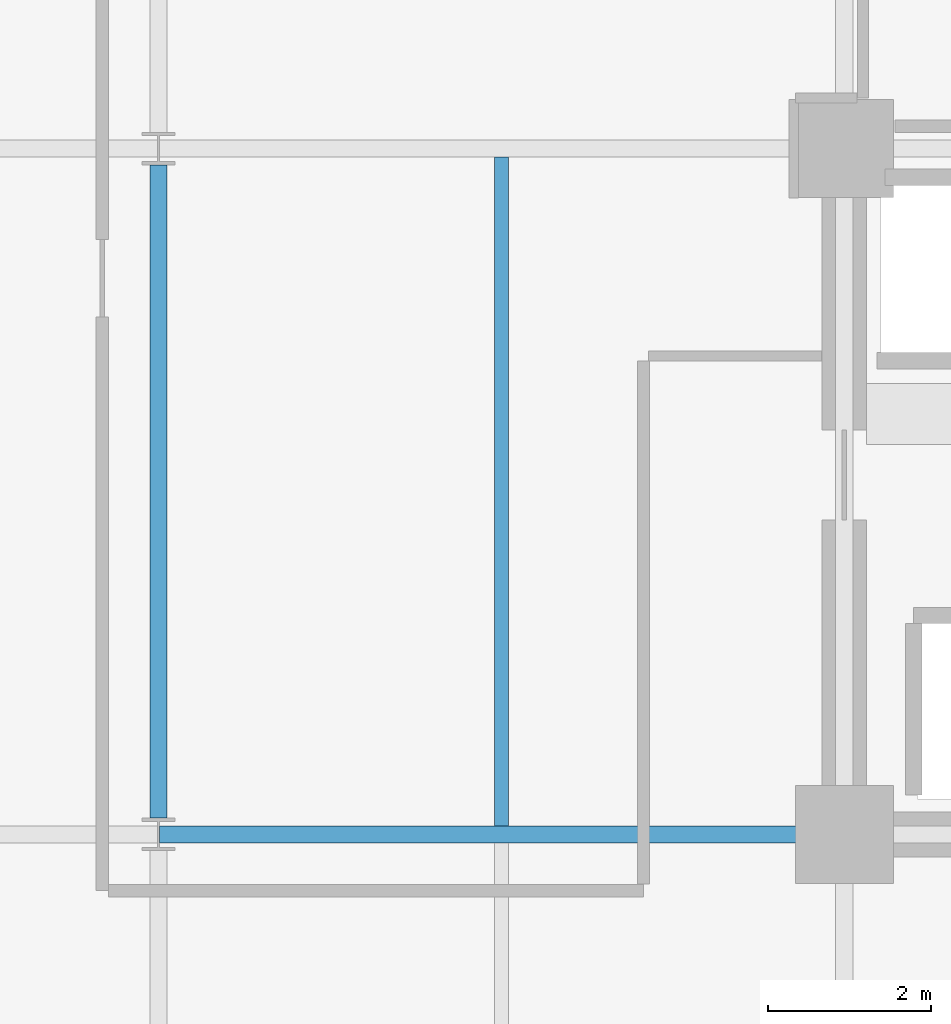
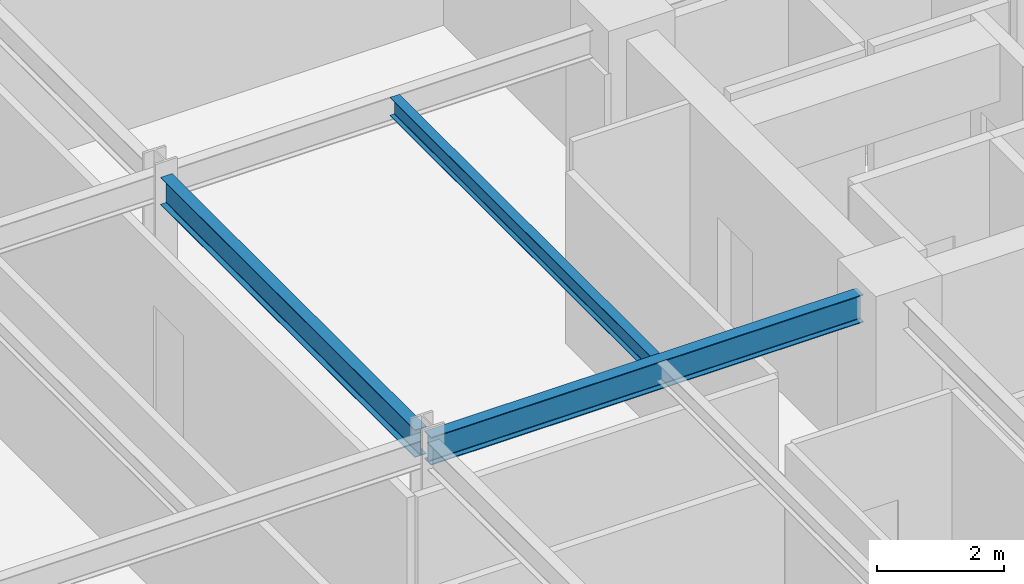
# One storey, part 7 of 39: 3 beams.
"""IFC4 building model written with IfcOpenShell, lengths in metres."""

import ifcopenshell
import ifcopenshell.guid

model = None  # the IFC model being written
_history = None  # IfcOwnerHistory: only IFC2X3 demands one
_inside = {}  # id of a spatial element -> (the spatial element, [elements in it])
_under = {}  # id of a project, library or spatial element -> (it, [spatial elements below it])
_declared = {}  # id of a project -> (the project, [libraries it declares])
_typed = {}  # id of a type object -> (the type object, [elements of that type])
_made_of = {}  # id of a material, layer set ... -> (it, [elements and type objects made of it])


def new_model(schema):
    """Start an empty IFC model of exactly this schema.

    Asked for "IFC4X3", IfcOpenShell would pick the latest addendum, in which some entities
    have other attributes; the version numbers below select the first issue.
    IFC2X3 requires an IfcOwnerHistory on every rooted entity: one is made here for all.
    """
    global model, _history
    if schema == "IFC4X3":
        model = ifcopenshell.file(schema_version=(4, 3, 0, 0))
    else:
        model = ifcopenshell.file(schema=schema)
    _inside.clear()
    _under.clear()
    _declared.clear()
    _typed.clear()
    _made_of.clear()
    _history = None
    if model.schema == "IFC2X3":
        org = make("IfcOrganization", Name="unknown")
        user = make(
            "IfcPersonAndOrganization",
            ThePerson=make("IfcPerson", FamilyName="unknown"),
            TheOrganization=org,
        )
        app = make(
            "IfcApplication",
            ApplicationDeveloper=org,
            Version="unknown",
            ApplicationFullName="unknown",
            ApplicationIdentifier="unknown",
        )
        _history = make(
            "IfcOwnerHistory",
            OwningUser=user,
            OwningApplication=app,
            ChangeAction="ADDED",
            CreationDate=0,
        )
    return model


def make(cls, **values):
    """One entity of the class cls with the attributes given. An attribute that is None is left unset."""
    return model.create_entity(
        cls, **{name: value for name, value in values.items() if value is not None}
    )


def rooted(cls, **values):
    """An entity with a GlobalId (a new one), such as an element, a storey or a relation."""
    return make(cls, GlobalId=ifcopenshell.guid.new(), OwnerHistory=_history, **values)


def si_unit(unit_type, name, prefix=None):
    """IfcSIUnit, for example si_unit("LENGTHUNIT", "METRE", prefix="MILLI")."""
    return make("IfcSIUnit", UnitType=unit_type, Prefix=prefix, Name=name)


def assignment(units):
    """IfcUnitAssignment: the units of a project."""
    return None if units is None else make("IfcUnitAssignment", Units=units)


def point(xyz):
    """IfcCartesianPoint."""
    return None if xyz is None else make("IfcCartesianPoint", Coordinates=xyz)


def direction(xyz):
    """IfcDirection."""
    return None if xyz is None else make("IfcDirection", DirectionRatios=xyz)


def frame(location, z_axis=None, x_axis=None):
    """IfcAxis2Placement3D, a coordinate frame: its origin and axes. An axis left out is left unset."""
    return make(
        "IfcAxis2Placement3D",
        Location=point(location),
        Axis=direction(z_axis),
        RefDirection=direction(x_axis),
    )


def frame_2d(location, x_axis=None):
    """IfcAxis2Placement2D, a coordinate frame in the plane: its origin and x axis."""
    return make(
        "IfcAxis2Placement2D", Location=point(location), RefDirection=direction(x_axis)
    )


def origin():
    """The frame at (0, 0, 0) with its axes left unset."""
    return frame((0.0, 0.0, 0.0))


def origin_2d():
    """The frame at (0, 0) in the plane with its x axis left unset."""
    return frame_2d((0.0, 0.0))


def place(relative_to, where):
    """IfcLocalPlacement: puts the frame where relative to a parent placement (None: the world)."""
    return make(
        "IfcLocalPlacement", PlacementRelTo=relative_to, RelativePlacement=where
    )


def context(
    kind, dimensions, precision=None, world=None, true_north=None, identifier=None
):
    """IfcGeometricRepresentationContext, for example the 3D "Model" context."""
    return make(
        "IfcGeometricRepresentationContext",
        ContextIdentifier=identifier,
        ContextType=kind,
        CoordinateSpaceDimension=dimensions,
        Precision=precision,
        WorldCoordinateSystem=world,
        TrueNorth=true_north,
    )


def subcontext(parent, identifier, kind, view, scale=None):
    """IfcGeometricRepresentationSubContext, for example "Body" below "Model"."""
    return make(
        "IfcGeometricRepresentationSubContext",
        ContextIdentifier=identifier,
        ContextType=kind,
        ParentContext=parent,
        TargetScale=scale,
        TargetView=view,
    )


def project(units=None, contexts=None):
    """IfcProject with its units and contexts."""
    return rooted(
        "IfcProject",
        Name="project",
        RepresentationContexts=contexts,
        UnitsInContext=assignment(units),
    )


def spatial(cls, under=None, at=None, **own):
    """A site, building, storey or space (cls), placed at a placement, below another one or the project."""
    s = rooted(cls, ObjectPlacement=at, **own)
    if under is not None:
        _under.setdefault(under.id(), (under, []))[1].append(s)
    return s


def profile(cls, at=None, kind="AREA", **sizes):
    """A parametric profile (cls). Its sizes go by their IFC names, for example OverallWidth=200.0."""
    return make(cls, ProfileType=kind, Position=at, **sizes)


def i_section(**sizes):
    """IfcIShapeProfileDef."""
    return profile("IfcIShapeProfileDef", **sizes)


def extrude(swept, where, along, depth):
    """IfcExtrudedAreaSolid: the profile swept, set in the frame where, extruded along a direction by depth."""
    return make(
        "IfcExtrudedAreaSolid",
        SweptArea=swept,
        Position=where,
        ExtrudedDirection=direction(along),
        Depth=depth,
    )


def shape(context_of_items, identifier, shape_type, items):
    """IfcShapeRepresentation: the items that make up one representation, for example the "Body"."""
    return make(
        "IfcShapeRepresentation",
        ContextOfItems=context_of_items,
        RepresentationIdentifier=identifier,
        RepresentationType=shape_type,
        Items=items,
    )


def material(Name=None, Category=None):
    """IfcMaterial."""
    return make("IfcMaterial", Name=Name, Category=Category)


def material_profile(
    of_material, cross_section, Name=None, Category=None, Priority=None
):
    """IfcMaterialProfile: a cross section and its material."""
    return make(
        "IfcMaterialProfile",
        Name=Name,
        Material=of_material,
        Profile=cross_section,
        Priority=Priority,
        Category=Category,
    )


def profile_set(profiles, Name=None, composite=None):
    """IfcMaterialProfileSet."""
    return make(
        "IfcMaterialProfileSet",
        Name=Name,
        MaterialProfiles=profiles,
        CompositeProfile=composite,
    )


def made_of(thing, what):
    """Note that an element or type object is made of a material, layer set ...; save() writes the relation."""
    if what is not None:
        _made_of.setdefault(what.id(), (what, []))[1].append(thing)
    return thing


def type_object(cls, material=None, **own):
    """A type object (cls), such as IfcWallType, which elements share."""
    return made_of(rooted(cls, **own), material)


def element(
    cls,
    number,
    at=None,
    inside=None,
    cuts=None,
    type_object=None,
    material=None,
    context=None,
    identifier="Body",
    shape_type=None,
    held_by="IfcProductDefinitionShape",
    body=None,
    shapes=None,
    **own,
):
    """One element of the class cls, such as IfcWall. Its Tag is "e" and its number.

    at: its placement. inside: the storey or other place that contains it. cuts: it is an
    opening in that element (IfcRelVoidsElement). A single representation is given by context,
    identifier, shape_type and body (its items); several are given by shapes. held_by: the class
    of the entity that holds the representations. save() writes the other relations.
    """
    e = rooted(cls, Tag="e%d" % number, ObjectPlacement=at, **own)
    if body is not None:
        shapes = [shape(context, identifier, shape_type, body)]
    if shapes is not None:
        e.Representation = make(held_by, Representations=shapes)
    if inside is not None:
        _inside.setdefault(inside.id(), (inside, []))[1].append(e)
    if cuts is not None:
        rooted(
            "IfcRelVoidsElement", RelatingBuildingElement=cuts, RelatedOpeningElement=e
        )
    if type_object is not None:
        _typed.setdefault(type_object.id(), (type_object, []))[1].append(e)
    return made_of(e, material)


def aggregate(whole, parts):
    """IfcRelAggregates: a whole, such as a stair, and the parts it consists of."""
    return rooted("IfcRelAggregates", RelatingObject=whole, RelatedObjects=parts)


def save(model, path):
    """Write the relations noted so far, then the file.

    IfcRelAggregates (storeys below a building ...), IfcRelContainedInSpatialStructure (elements
    in a storey), IfcRelDefinesByType, IfcRelAssociatesMaterial and IfcRelDeclares: one each for
    every whole, place, type object, material and project.
    """
    for whole, parts in _under.values():
        aggregate(whole, parts)
    for where, things in _inside.values():
        rooted(
            "IfcRelContainedInSpatialStructure",
            RelatedElements=things,
            RelatingStructure=where,
        )
    for kind, things in _typed.values():
        rooted("IfcRelDefinesByType", RelatedObjects=things, RelatingType=kind)
    for what, things in _made_of.values():
        rooted("IfcRelAssociatesMaterial", RelatedObjects=things, RelatingMaterial=what)
    for by, libraries in _declared.values():
        rooted("IfcRelDeclares", RelatingContext=by, RelatedDefinitions=libraries)
    model.write(path)


model = new_model("IFC4")

# Units and contexts
model_context = context("Model", 3, precision=1e-05, world=origin(), true_north=direction((0.0, 1.0)))
body_context = subcontext(model_context, "Body", "Model", "MODEL_VIEW")
ifc_project = project(units=[si_unit("LENGTHUNIT", "METRE"), si_unit("AREAUNIT", "SQUARE_METRE"), si_unit("VOLUMEUNIT", "CUBIC_METRE"), si_unit("PLANEANGLEUNIT", "RADIAN"), si_unit("MASSUNIT", "GRAM", prefix="KILO")], contexts=[model_context])

# Site, building, storey
site_placement = place(None, origin())
site = spatial("IfcSite", under=ifc_project, at=site_placement, CompositionType="ELEMENT")
building_placement = place(site_placement, origin())
building = spatial("IfcBuilding", under=site, at=building_placement, Name="Nerrivon Quay Data Exchange", CompositionType="ELEMENT")
storey_placement = place(building_placement, frame((0.0, 0.0, 92.60009765625)))
storey = spatial("IfcBuildingStorey", under=building, at=storey_placement, Name="L21", CompositionType="ELEMENT", Elevation=92.60009765625)

# Beams
ifc_material = material(Name="Steel Grade 350", Category="steel")
ifc_material_profile_1 = material_profile(ifc_material, i_section(OverallWidth=0.208984375, OverallDepth=0.532958984375, WebThickness=0.01025390625, FlangeThickness=0.015625, FilletRadius=0.013916015625, at=origin_2d()), Name="530UB92.4")
ifc_profile_set_1 = profile_set([ifc_material_profile_1], Name="Steel Grade 350")
beam_type_1 = type_object("IfcBeamType", Name="BM-G3-530UB92", PredefinedType="BEAM", material=ifc_profile_set_1)
beam_1_placement = place(storey_placement, frame((8.41259765625, 8.39990234375, 3.558349609375), z_axis=(1.0, 0.0, 0.0), x_axis=(0.0, 1.0, 0.0)))
element("IfcBeam", 1, at=beam_1_placement, inside=storey, type_object=beam_type_1, Name="L21 EW Girder Y=8.4 (8.4..16.8)", PredefinedType="BEAM", context=body_context, shape_type="SweptSolid", body=[
    extrude(i_section(OverallWidth=0.208984375, OverallDepth=0.532958984375, WebThickness=0.01025390625, FlangeThickness=0.015625, FilletRadius=0.013916015625, at=origin_2d()), origin(), (0.0, 0.0, 1.0), 7.847412109375),
])
ifc_material_profile_2 = material_profile(ifc_material, i_section(OverallWidth=0.208984375, OverallDepth=0.528076171875, WebThickness=0.009521484375, FlangeThickness=0.01318359375, FilletRadius=0.013916015625, at=origin_2d()), Name="530UB82.0")
ifc_profile_set_2 = profile_set([ifc_material_profile_2], Name="Steel Grade 350")
beam_type_2 = type_object("IfcBeamType", Name="BM-G4-530UB82", PredefinedType="BEAM", material=ifc_profile_set_2)
beam_2_placement = place(storey_placement, frame((8.39990234375, 8.60009765625, 3.560791015625), z_axis=(0.0, 1.0, 0.0), x_axis=(-1.0, 0.0, 0.0)))
element("IfcBeam", 2, at=beam_2_placement, inside=storey, type_object=beam_type_2, Name="L21 NS Girder X=8.4 (8.4..16.8)", PredefinedType="BEAM", context=body_context, shape_type="SweptSolid", body=[
    extrude(i_section(OverallWidth=0.208984375, OverallDepth=0.528076171875, WebThickness=0.009521484375, FlangeThickness=0.01318359375, FilletRadius=0.013916015625, at=origin_2d()), origin(), (0.0, 0.0, 1.0), 8.0),
])
ifc_material_profile_3 = material_profile(ifc_material, i_section(OverallWidth=0.1708984375, OverallDepth=0.35595703125, WebThickness=0.00732421875, FlangeThickness=0.011474609375, FilletRadius=0.011474609375, at=origin_2d()), Name="360UB50.7")
ifc_profile_set_3 = profile_set([ifc_material_profile_3], Name="Steel Grade 350")
beam_type_3 = type_object("IfcBeamType", Name="BM-J4-360UB51", PredefinedType="JOIST", material=ifc_profile_set_3)
beam_3_placement = place(storey_placement, frame((12.60009765625, 8.50439453125, 3.64697265625), z_axis=(0.0, 1.0, 0.0), x_axis=(-1.0, 0.0, 0.0)))
element("IfcBeam", 3, at=beam_3_placement, inside=storey, type_object=beam_type_3, Name="L21 Secondary Joist X=12.6 (8.4..16.8)", PredefinedType="JOIST", context=body_context, shape_type="SweptSolid", body=[
    extrude(i_section(OverallWidth=0.1708984375, OverallDepth=0.35595703125, WebThickness=0.00732421875, FlangeThickness=0.011474609375, FilletRadius=0.011474609375, at=origin_2d()), origin(), (0.0, 0.0, 1.0), 8.191162109375),
])

save(model, "model.ifc")
